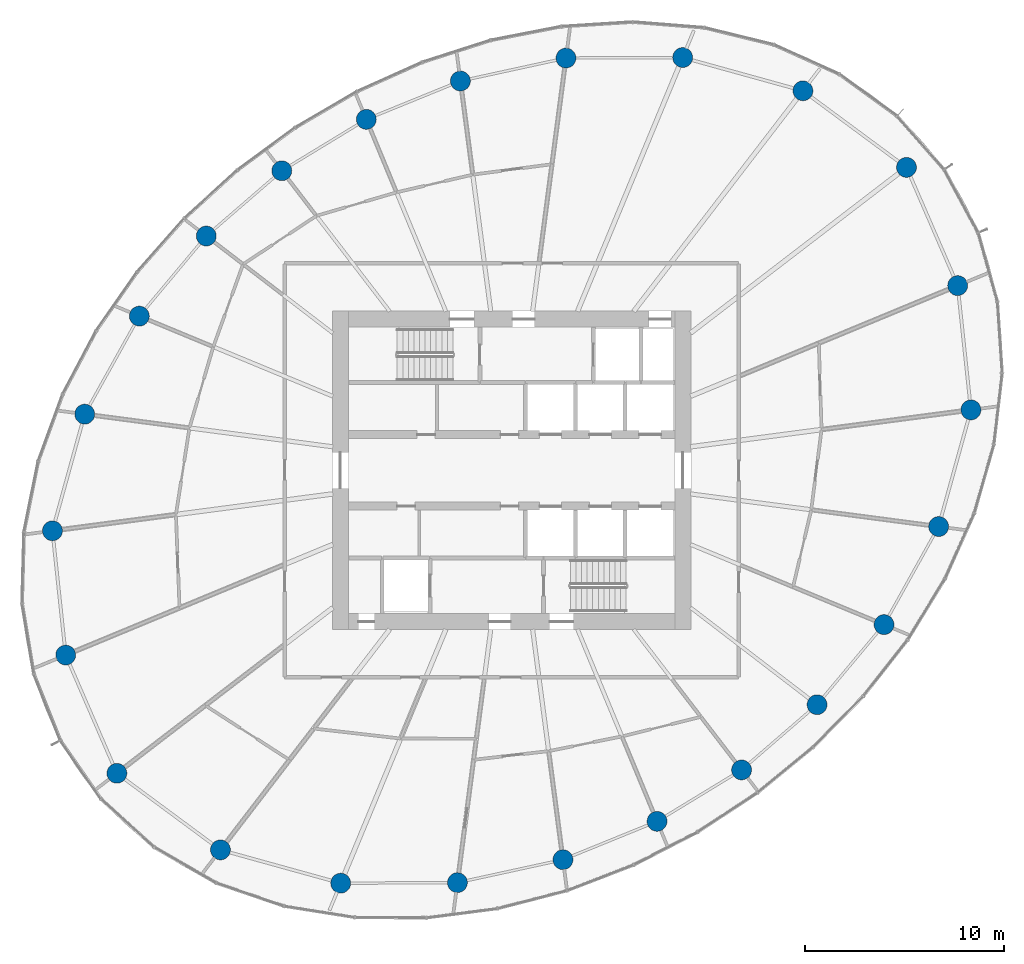
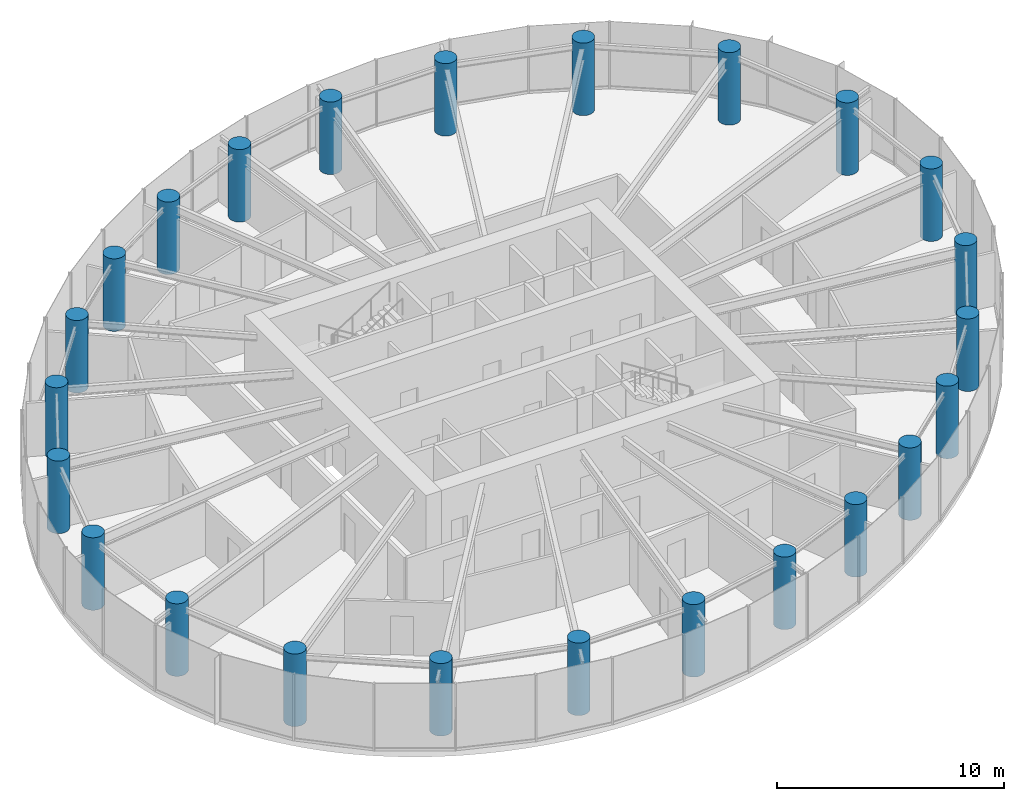
# One storey, part 1 of 14: 24 columns.
"""IFC4 building model written with IfcOpenShell, lengths in metres."""

from ifc_helpers import new_model, si_unit, direction, frame, origin, origin_2d, place, context, subcontext, project, spatial, circle, extrude, source, transform, mapped, material, material_profile, profile_set, type_object, element, save


model = new_model("IFC4")

# Units and contexts
model_context = context("Model", 3, precision=1e-05, world=origin(), true_north=direction((0.0, 1.0)))
body_context = subcontext(model_context, "Body", "Model", "MODEL_VIEW")
ifc_project = project(units=[si_unit("LENGTHUNIT", "METRE"), si_unit("AREAUNIT", "SQUARE_METRE"), si_unit("VOLUMEUNIT", "CUBIC_METRE"), si_unit("PLANEANGLEUNIT", "RADIAN"), si_unit("MASSUNIT", "GRAM", prefix="KILO")], contexts=[model_context])

# Site, building, storey
site_placement = place(None, origin())
site = spatial("IfcSite", under=ifc_project, at=site_placement, CompositionType="ELEMENT")
building_placement = place(site_placement, origin())
building = spatial("IfcBuilding", under=site, at=building_placement, Name="Spindrift Exchange Tower", CompositionType="ELEMENT")
storey_placement = place(building_placement, frame((0.0, 0.0, 156.5)))
storey = spatial("IfcBuildingStorey", under=building, at=storey_placement, Name="L37", CompositionType="ELEMENT", Elevation=156.5)

# Columns
ifc_material = material(Name="Concrete 50 MPa", Category="concrete")
ifc_material_profile = material_profile(ifc_material, circle(Radius=0.5, at=origin_2d()), Name="RC D1000")
ifc_profile_set = profile_set([ifc_material_profile], Name="Concrete 50 MPa")
column_type = type_object("IfcColumnType", Name="RC Perimeter Column D1000 Concrete 50 MPa", PredefinedType="COLUMN", material=ifc_profile_set)
shared_shape = source(origin(), body_context, "Body", "SweptSolid", [
    extrude(circle(Radius=0.5, at=origin_2d()), origin(), (0.0, 0.0, 1.0), 3.89990234375),
])
for number, where, z_axis, x_axis, name in (
    (1, (75.06201171875, 51.0361328125, 0.0), (0.0, 0.0, 1.0), (1.0, 0.0, 0.0), "Perimeter column P3-01 L37"),
    (2, (74.396728515625, 57.277099609375, 0.0), (0.0, 0.0, 1.0), (1.0, 0.0, 0.0), "Perimeter column P3-02 L37"),
    (3, (71.825927734375, 63.212890625, 0.0), (0.0, 0.0, 1.0), (1.0, 0.0, 0.0), "Perimeter column P3-03 L37"),
    (4, (66.625, 67.0595703125, 0.0), (0.0, 0.0, 1.0), (1.0, 0.0, 0.0), "Perimeter column P3-04 L37"),
    (5, (60.5869140625, 68.73095703125, 0.0), (0.0, 0.0, 1.0), (1.0, 0.0, 0.0), "Perimeter column P3-05 L37"),
    (6, (54.725830078125, 68.705322265625, 0.0), (0.0, 0.0, 1.0), (1.0, 0.0, 0.0), "Perimeter column P3-06 L37"),
    (7, (49.426025390625, 67.55126953125, 0.0), (0.0, 0.0, 1.0), (1.0, 0.0, 0.0), "Perimeter column P3-07 L37"),
    (8, (44.69921875, 65.625732421875, 0.0), (0.0, 0.0, 1.0), (1.0, 0.0, 0.0), "Perimeter column P3-08 L37"),
    (9, (40.4560546875, 63.04443359375, 0.0), (0.0, 0.0, 1.0), (1.0, 0.0, 0.0), "Perimeter column P3-09 L37"),
    (10, (36.663818359375, 59.76806640625, 0.0), (0.0, 0.0, 1.0), (1.0, 0.0, 0.0), "Perimeter column P3-10 L37"),
    (11, (33.30078125, 55.74560546875, 0.0), (0.0, 0.0, 1.0), (1.0, 0.0, 0.0), "Perimeter column P3-11 L37"),
    (12, (30.55908203125, 50.82275390625, 0.0), (0.0, 0.0, 1.0), (1.0, 0.0, 0.0), "Perimeter column P3-12 L37"),
    (13, (28.93798828125, 44.9638671875, 0.0), (0.0, 0.0, 1.0), (1.0, 0.0, 0.0), "Perimeter column P3-13 L37"),
    (14, (29.603271484375, 38.722900390625, 0.0), (0.0, 0.0, 1.0), (1.0, 0.0, 0.0), "Perimeter column P3-14 L37"),
    (15, (32.174072265625, 32.787109375, 0.0), (0.0, 0.0, 1.0), (1.0, 0.0, 0.0), "Perimeter column P3-15 L37"),
    (16, (37.375, 28.9404296875, 0.0), (0.0, 0.0, 1.0), (1.0, 0.0, 0.0), "Perimeter column P3-16 L37"),
    (17, (43.4130859375, 27.26904296875, 0.0), (0.0, 0.0, 1.0), (1.0, 0.0, 0.0), "Perimeter column P3-17 L37"),
    (18, (49.274169921875, 27.294677734375, 0.0), (0.0, 0.0, 1.0), (1.0, 0.0, 0.0), "Perimeter column P3-18 L37"),
    (19, (54.573974609375, 28.44873046875, 0.0), (0.0, 0.0, 1.0), (1.0, 0.0, 0.0), "Perimeter column P3-19 L37"),
    (20, (59.30078125, 30.374267578125, 0.0), (0.0, 0.0, 1.0), (1.0, 0.0, 0.0), "Perimeter column P3-20 L37"),
    (21, (63.5439453125, 32.95556640625, 0.0), (0.0, 0.0, 1.0), (1.0, 0.0, 0.0), "Perimeter column P3-21 L37"),
    (22, (67.336181640625, 36.23193359375, 0.0), (0.0, 0.0, 1.0), (1.0, 0.0, 0.0), "Perimeter column P3-22 L37"),
    (23, (70.69921875, 40.25439453125, 0.0), (0.0, 0.0, 1.0), (1.0, 0.0, 0.0), "Perimeter column P3-23 L37"),
    (24, (73.44091796875, 45.17724609375, 0.0), (0.0, 0.0, 1.0), (1.0, 0.0, 0.0), "Perimeter column P3-24 L37"),
):
    element("IfcColumn", number, at=place(storey_placement, frame(where, z_axis=z_axis, x_axis=x_axis)), inside=storey, type_object=column_type, Name=name, PredefinedType="COLUMN", context=body_context, shape_type="MappedRepresentation", body=[
        mapped(shared_shape, transform((0.0, 0.0, 0.0), scale=1.0)),
    ])

save(model, "model.ifc")
